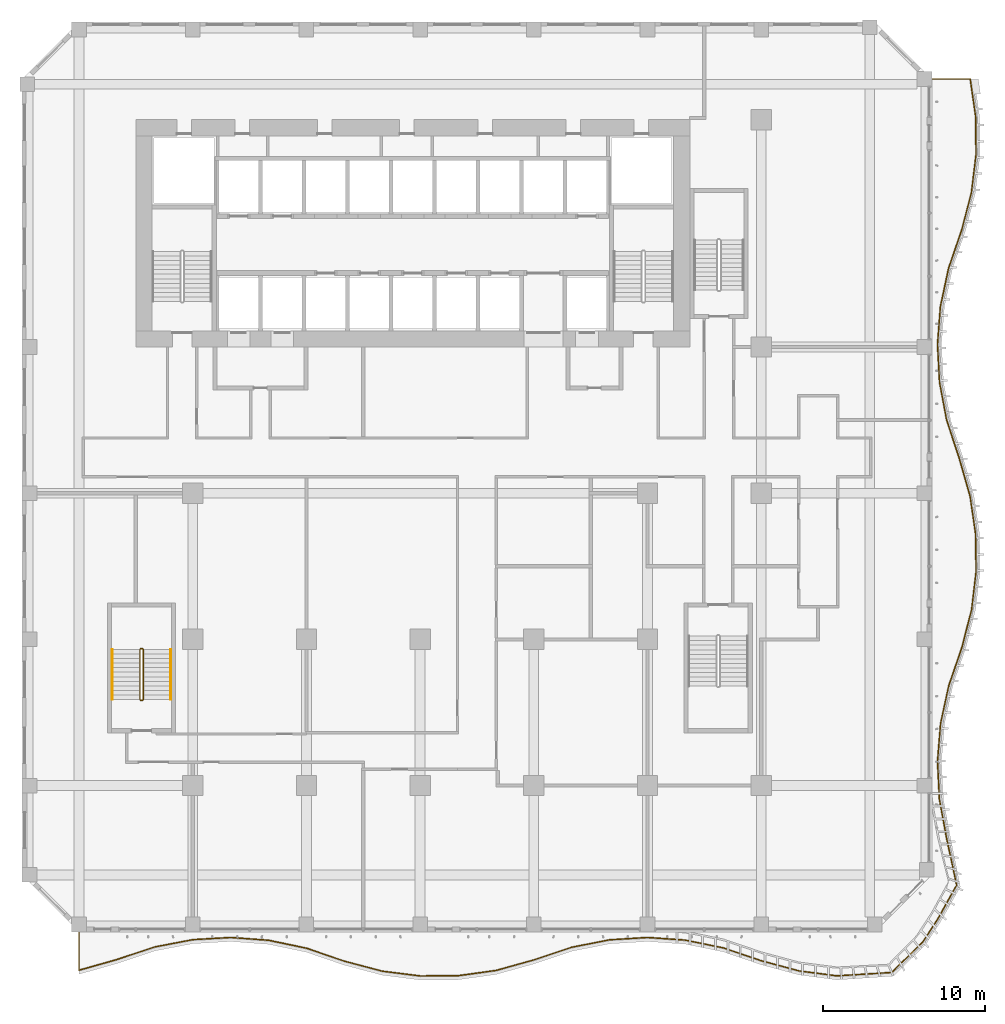
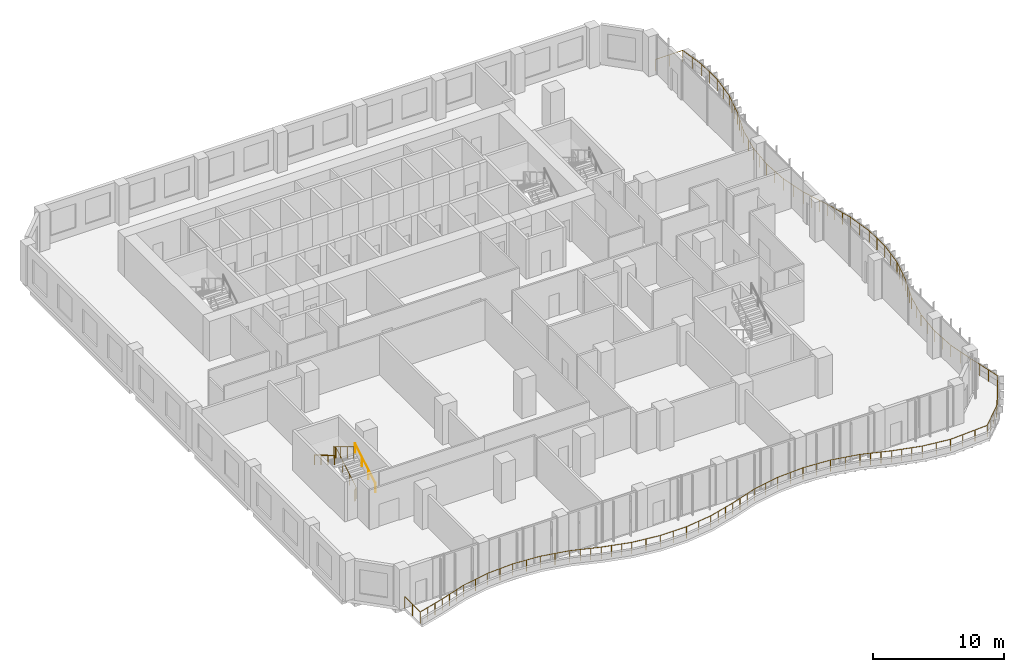
# One storey, part 21 of 28: 4 railings.
"""IFC4 building model written with IfcOpenShell, lengths in metres."""

from ifc_helpers import new_model, si_unit, direction, frame, origin, origin_2d, place, context, subcontext, project, spatial, circle, extrude, material, type_object, element, save


model = new_model("IFC4")

# Units and contexts
model_context = context("Model", 3, precision=1e-05, world=origin(), true_north=direction((0.0, 1.0)))
body_context = subcontext(model_context, "Body", "Model", "MODEL_VIEW")
ifc_project = project(units=[si_unit("LENGTHUNIT", "METRE"), si_unit("AREAUNIT", "SQUARE_METRE"), si_unit("VOLUMEUNIT", "CUBIC_METRE"), si_unit("PLANEANGLEUNIT", "RADIAN"), si_unit("MASSUNIT", "GRAM", prefix="KILO")], contexts=[model_context])

# Site, building, storey
site_placement = place(None, origin())
site = spatial("IfcSite", under=ifc_project, at=site_placement, CompositionType="ELEMENT")
building_placement = place(site_placement, origin())
building = spatial("IfcBuilding", under=site, at=building_placement, Name="Kilnfold Tower and Market Hall", CompositionType="ELEMENT")
storey_placement = place(building_placement, frame((0.0, 0.0, 87.199951171875)))
storey = spatial("IfcBuildingStorey", under=building, at=storey_placement, Name="L20", CompositionType="ELEMENT", Elevation=87.199951171875)

# Railings
ifc_material_1 = material(Name="Stainless steel 316", Category="steel")
railing_type_1 = type_object("IfcRailingType", Name="CORE STAIR GUARD 1100", PredefinedType="GUARDRAIL", material=ifc_material_1)
railing_1_placement = place(storey_placement, frame((-15.699951171875, -13.75, 0.0)))
element("IfcRailing", 1, at=railing_1_placement, inside=storey, type_object=railing_type_1, Name="L20 ST3 stair guard 1", PredefinedType="GUARDRAIL", context=body_context, shape_type="SweptSolid", body=[
    extrude(circle(Radius=0.02392578125, at=origin_2d()), frame((0.0, 0.0, 1.076171875), z_axis=(1.0, 0.0, 0.0), x_axis=(0.0, 1.0, 0.0)), (0.0, 0.0, 1.0), 0.099853515625),
    extrude(circle(Radius=0.02392578125, at=origin_2d()), frame((0.099853515625, 0.0, 1.076171875), z_axis=(0.27628659633, 0.27628659633, 0.920506074601), x_axis=(-0.707106781187, 0.707106781187, 0.0)), (0.0, 0.0, 1.0), 0.18115234375),
    extrude(circle(Radius=0.02392578125, at=origin_2d()), frame((0.14990234375, 0.050048828125, 1.24267578125), z_axis=(0.0, 0.859290745958, 0.51148745235), x_axis=(-1.0, 0.0, 0.0)), (0.0, 0.0, 1.0), 3.584228515625),
    extrude(circle(Radius=0.02392578125, at=origin_2d()), frame((0.14990234375, 3.1298828125, 3.076171875), z_axis=(-0.707106781187, 0.707106781187, 0.0), x_axis=(-0.707106781187, -0.707106781187, 0.0)), (0.0, 0.0, 1.0), 0.07080078125),
    extrude(circle(Radius=0.02392578125, at=origin_2d()), frame((0.099853515625, 3.179931640625, 3.076171875), z_axis=(-1.0, 0.0, 0.0), x_axis=(0.0, -1.0, 0.0)), (0.0, 0.0, 1.0), 0.099853515625),
    extrude(circle(Radius=0.02392578125, at=origin_2d()), frame((0.0, 3.179931640625, 3.076171875), z_axis=(-0.27628659633, -0.27628659633, 0.920506074601), x_axis=(0.707106781187, -0.707106781187, 0.0)), (0.0, 0.0, 1.0), 0.18115234375),
    extrude(circle(Radius=0.02392578125, at=origin_2d()), frame((-0.050048828125, 3.1298828125, 3.24267578125), z_axis=(0.0, -0.859290745958, 0.51148745235), x_axis=(1.0, 0.0, 0.0)), (0.0, 0.0, 1.0), 3.584228515625),
    extrude(circle(Radius=0.02099609375, at=origin_2d()), origin(), (0.0, 0.0, 1.0), 1.052001953125),
    extrude(circle(Radius=0.02099609375, at=origin_2d()), frame((0.099853515625, 0.0, 0.0)), (0.0, 0.0, 1.0), 1.052001953125),
    extrude(circle(Radius=0.02099609375, at=origin_2d()), frame((0.14990234375, 0.050048828125, 0.166748046875)), (0.0, 0.0, 1.0), 1.052001953125),
    extrude(circle(Radius=0.02099609375, at=origin_2d()), frame((0.14990234375, 1.07666015625, 0.77783203125)), (0.0, 0.0, 1.0), 1.052001953125),
    extrude(circle(Radius=0.02099609375, at=origin_2d()), frame((0.14990234375, 2.103271484375, 1.388916015625)), (0.0, 0.0, 1.0), 1.052001953125),
    extrude(circle(Radius=0.02099609375, at=origin_2d()), frame((0.14990234375, 3.1298828125, 2.0)), (0.0, 0.0, 1.0), 1.052001953125),
    extrude(circle(Radius=0.02099609375, at=origin_2d()), frame((0.099853515625, 3.179931640625, 2.0)), (0.0, 0.0, 1.0), 1.052001953125),
    extrude(circle(Radius=0.02099609375, at=origin_2d()), frame((0.0, 3.179931640625, 2.0)), (0.0, 0.0, 1.0), 1.052001953125),
    extrude(circle(Radius=0.02099609375, at=origin_2d()), frame((-0.050048828125, 3.1298828125, 2.166748046875)), (0.0, 0.0, 1.0), 1.052001953125),
    extrude(circle(Radius=0.02099609375, at=origin_2d()), frame((-0.050048828125, 2.103271484375, 2.77783203125)), (0.0, 0.0, 1.0), 1.052001953125),
    extrude(circle(Radius=0.02099609375, at=origin_2d()), frame((-0.050048828125, 1.07666015625, 3.388916015625)), (0.0, 0.0, 1.0), 1.052001953125),
    extrude(circle(Radius=0.02099609375, at=origin_2d()), frame((-0.050048828125, 0.050048828125, 4.0)), (0.0, 0.0, 1.0), 1.052001953125),
])
ifc_material_2 = material(Name="Stainless steel 316", Category="steel")
railing_type_2 = type_object("IfcRailingType", Name="CORE STAIR HANDRAIL 900", PredefinedType="HANDRAIL", material=ifc_material_2)
railing_2_placement = place(storey_placement, frame((-13.85009765625, -13.699951171875, 0.166748046875)))
element("IfcRailing", 2, at=railing_2_placement, inside=storey, type_object=railing_type_2, Name="L20 ST3 stair handrail 1", PredefinedType="HANDRAIL", context=body_context, shape_type="SweptSolid", body=[
    extrude(circle(Radius=0.02392578125, at=origin_2d()), frame((0.0, 0.0, 0.8759765625), z_axis=(0.0, 0.859290745958, 0.51148745235), x_axis=(-1.0, 0.0, 0.0)), (0.0, 0.0, 1.0), 3.584228515625),
    extrude(circle(Radius=0.02099609375, at=origin_2d()), origin(), (0.0, 0.0, 1.0), 0.851806640625),
    extrude(circle(Radius=0.02099609375, at=origin_2d()), frame((0.0, 1.026611328125, 0.611083984375)), (0.0, 0.0, 1.0), 0.851806640625),
    extrude(circle(Radius=0.02099609375, at=origin_2d()), frame((0.0, 2.05322265625, 1.22216796875)), (0.0, 0.0, 1.0), 0.851806640625),
    extrude(circle(Radius=0.02099609375, at=origin_2d()), frame((0.0, 3.079833984375, 1.833251953125)), (0.0, 0.0, 1.0), 0.851806640625),
])
railing_3_placement = place(storey_placement, frame((-17.449951171875, -10.6201171875, 2.166748046875)))
element("IfcRailing", 3, at=railing_3_placement, inside=storey, type_object=railing_type_2, Name="L20 ST3 stair handrail 2", PredefinedType="HANDRAIL", context=body_context, shape_type="SweptSolid", body=[
    extrude(circle(Radius=0.02392578125, at=origin_2d()), frame((0.0, 0.0, 0.8759765625), z_axis=(0.0, -0.859290745958, 0.51148745235), x_axis=(1.0, 0.0, 0.0)), (0.0, 0.0, 1.0), 3.584228515625),
    extrude(circle(Radius=0.02099609375, at=origin_2d()), origin(), (0.0, 0.0, 1.0), 0.851806640625),
    extrude(circle(Radius=0.02099609375, at=origin_2d()), frame((0.0, -1.026611328125, 0.611083984375)), (0.0, 0.0, 1.0), 0.851806640625),
    extrude(circle(Radius=0.02099609375, at=origin_2d()), frame((0.0, -2.05322265625, 1.22216796875)), (0.0, 0.0, 1.0), 0.851806640625),
    extrude(circle(Radius=0.02099609375, at=origin_2d()), frame((0.0, -3.079833984375, 1.833251953125)), (0.0, 0.0, 1.0), 0.851806640625),
])
ifc_material_3 = material(Name="Stainless steel and laminated glass", Category="steel")
railing_type_3 = type_object("IfcRailingType", Name="GUARD 1100", PredefinedType="GUARDRAIL", material=ifc_material_3)
railing_4_placement = place(storey_placement, frame((-19.5, -28.0, 0.0)))
element("IfcRailing", 4, at=railing_4_placement, inside=storey, type_object=railing_type_3, Name="Guard balcony L20", PredefinedType="GUARDRAIL", context=body_context, shape_type="SweptSolid", body=[
    extrude(circle(Radius=0.02490234375, at=origin_2d()), frame((0.0, 0.0, 1.0751953125), z_axis=(0.0, -1.0, 0.0), x_axis=(1.0, 0.0, 0.0)), (0.0, 0.0, 1.0), 2.3671875),
    extrude(circle(Radius=0.02490234375, at=origin_2d()), frame((0.0, -2.3671875, 1.0751953125), z_axis=(0.962306538751, 0.271967140438, 0.0), x_axis=(-0.271967140438, 0.962306538751, 0.0)), (0.0, 0.0, 1.0), 2.424560546875),
    extrude(circle(Radius=0.02490234375, at=origin_2d()), frame((2.333251953125, -1.707763671875, 1.0751953125), z_axis=(0.94906984056, 0.315065767325, 0.0), x_axis=(-0.315065767325, 0.94906984056, 0.0)), (0.0, 0.0, 1.0), 2.458740234375),
    extrude(circle(Radius=0.02490234375, at=origin_2d()), frame((4.666748046875, -0.93310546875, 1.0751953125), z_axis=(0.982061375955, 0.18856153865, 0.0), x_axis=(-0.18856153865, 0.982061375955, 0.0)), (0.0, 0.0, 1.0), 2.3759765625),
    extrude(circle(Radius=0.02490234375, at=origin_2d()), frame((7.0, -0.485107421875, 1.0751953125), z_axis=(0.99834213569, 0.057558492913, 0.0), x_axis=(-0.057558492913, 0.99834213569, 0.0)), (0.0, 0.0, 1.0), 2.337158203125),
    extrude(circle(Radius=0.02490234375, at=origin_2d()), frame((9.333251953125, -0.3505859375, 1.0751953125), z_axis=(0.997298415434, -0.073456589712, 0.0), x_axis=(0.073456589712, 0.997298415434, 0.0)), (0.0, 0.0, 1.0), 2.33984375),
    extrude(circle(Radius=0.02490234375, at=origin_2d()), frame((11.666748046875, -0.5224609375, 1.0751953125), z_axis=(0.978878895957, -0.204440962261, 0.0), x_axis=(0.204440962261, 0.978878895957, 0.0)), (0.0, 0.0, 1.0), 2.383544921875),
    extrude(circle(Radius=0.02490234375, at=origin_2d()), frame((14.0, -1.009765625, 1.0751953125), z_axis=(0.946391210256, -0.323022719248, 0.0), x_axis=(0.323022719248, 0.946391210256, 0.0)), (0.0, 0.0, 1.0), 2.46533203125),
    extrude(circle(Radius=0.02490234375, at=origin_2d()), frame((16.333251953125, -1.80615234375, 1.0751953125), z_axis=(0.966656645612, -0.25607602288, 0.0), x_axis=(0.25607602288, 0.966656645612, 0.0)), (0.0, 0.0, 1.0), 2.4140625),
    extrude(circle(Radius=0.02490234375, at=origin_2d()), frame((18.666748046875, -2.42431640625, 1.0751953125), z_axis=(0.992144748276, -0.125095157651, 0.0), x_axis=(0.125095157651, 0.992144748276, 0.0)), (0.0, 0.0, 1.0), 2.351806640625),
    extrude(circle(Radius=0.02490234375, at=origin_2d()), frame((21.0, -2.718505859375, 1.0751953125), z_axis=(0.999982214546, 0.005964108635, 0.0), x_axis=(-0.005964108635, 0.999982214546, 0.0)), (0.0, 0.0, 1.0), 2.333251953125),
    extrude(circle(Radius=0.02490234375, at=origin_2d()), frame((23.333251953125, -2.70458984375, 1.0751953125), z_axis=(0.990583845196, 0.136907434558, 0.0), x_axis=(-0.136907434558, 0.990583845196, 0.0)), (0.0, 0.0, 1.0), 2.355712890625),
    extrude(circle(Radius=0.02490234375, at=origin_2d()), frame((25.666748046875, -2.382080078125, 1.0751953125), z_axis=(0.963406621709, 0.268044177789, 0.0), x_axis=(-0.268044177789, 0.963406621709, 0.0)), (0.0, 0.0, 1.0), 2.421875),
    extrude(circle(Radius=0.02490234375, at=origin_2d()), frame((28.0, -1.73291015625, 1.0751953125), z_axis=(0.948285654044, 0.317418207313, 0.0), x_axis=(-0.317418207313, 0.948285654044, 0.0)), (0.0, 0.0, 1.0), 2.46044921875),
    extrude(circle(Radius=0.02490234375, at=origin_2d()), frame((30.333251953125, -0.951904296875, 1.0751953125), z_axis=(0.981277242242, 0.192600555184, 0.0), x_axis=(-0.192600555184, 0.981277242242, 0.0)), (0.0, 0.0, 1.0), 2.3779296875),
    extrude(circle(Radius=0.02490234375, at=origin_2d()), frame((32.666748046875, -0.493896484375, 1.0751953125), z_axis=(0.998106251115, 0.06151350653, 0.0), x_axis=(-0.06151350653, 0.998106251115, 0.0)), (0.0, 0.0, 1.0), 2.337646484375),
    extrude(circle(Radius=0.02490234375, at=origin_2d()), frame((35.0, -0.35009765625, 1.0751953125), z_axis=(0.997580659458, -0.069518543392, 0.0), x_axis=(0.069518543392, 0.997580659458, 0.0)), (0.0, 0.0, 1.0), 2.3388671875),
    extrude(circle(Radius=0.02490234375, at=origin_2d()), frame((37.333251953125, -0.5126953125, 1.0751953125), z_axis=(0.979715847017, -0.200391764063, 0.0), x_axis=(0.200391764063, 0.979715847017, 0.0)), (0.0, 0.0, 1.0), 2.3818359375),
    extrude(circle(Radius=0.02490234375, at=origin_2d()), frame((39.666748046875, -0.989990234375, 1.0751953125), z_axis=(0.94693508606, -0.321424863365, 0.0), x_axis=(0.321424863365, 0.94693508606, 0.0)), (0.0, 0.0, 1.0), 2.464111328125),
    extrude(circle(Radius=0.02490234375, at=origin_2d()), frame((42.0, -1.781982421875, 1.0751953125), z_axis=(0.965591366517, -0.260064055395, 0.0), x_axis=(0.260064055395, 0.965591366517, 0.0)), (0.0, 0.0, 1.0), 2.41650390625),
    extrude(circle(Radius=0.02490234375, at=origin_2d()), frame((44.333251953125, -2.410400390625, 1.0751953125), z_axis=(0.991636241788, -0.129064185476, 0.0), x_axis=(0.129064185476, 0.991636241788, 0.0)), (0.0, 0.0, 1.0), 2.353271484375),
    extrude(circle(Radius=0.02490234375, at=origin_2d()), frame((46.666748046875, -2.714111328125, 1.0751953125), z_axis=(0.998046947864, 0.062468310849, 0.0), x_axis=(-0.062468310849, 0.998046947864, 0.0)), (0.0, 0.0, 1.0), 3.376708984375),
    extrude(circle(Radius=0.02490234375, at=origin_2d()), frame((50.036865234375, -2.503173828125, 1.0751953125), z_axis=(0.711725581763, 0.702457611721, 0.0), x_axis=(-0.702457611721, 0.711725581763, 0.0)), (0.0, 0.0, 1.0), 2.68701171875),
    extrude(circle(Radius=0.02490234375, at=origin_2d()), frame((51.94921875, -0.61572265625, 1.0751953125), z_axis=(0.546015999668, 0.837774747833, 0.0), x_axis=(-0.837774747833, 0.546015999668, 0.0)), (0.0, 0.0, 1.0), 1.68603515625),
    extrude(circle(Radius=0.02490234375, at=origin_2d()), frame((52.869873046875, 0.796875, 1.0751953125), z_axis=(0.489186066845, 0.872179449428, 0.0), x_axis=(-0.872179449428, 0.489186066845, 0.0)), (0.0, 0.0, 1.0), 2.37255859375),
    extrude(circle(Radius=0.02490234375, at=origin_2d()), frame((54.030517578125, 2.8662109375, 1.0751953125), z_axis=(-0.208897070291, 0.977937632993, 0.0), x_axis=(-0.977937632993, -0.208897070291, 0.0)), (0.0, 0.0, 1.0), 3.033935546875),
    extrude(circle(Radius=0.02490234375, at=origin_2d()), frame((53.396728515625, 5.833251953125, 1.0751953125), z_axis=(-0.180596668273, 0.983557239518, 0.0), x_axis=(-0.983557239518, -0.180596668273, 0.0)), (0.0, 0.0, 1.0), 2.37255859375),
    extrude(circle(Radius=0.02490234375, at=origin_2d()), frame((52.96826171875, 8.166748046875, 1.0751953125), z_axis=(-0.049640514399, 0.998767149705, 0.0), x_axis=(-0.998767149705, -0.049640514399, 0.0)), (0.0, 0.0, 1.0), 2.336181640625),
    extrude(circle(Radius=0.02490234375, at=origin_2d()), frame((52.852294921875, 10.5, 1.0751953125), z_axis=(0.081345095449, 0.996685996413, 0.0), x_axis=(-0.996685996413, 0.081345095449, 0.0)), (0.0, 0.0, 1.0), 2.341064453125),
    extrude(circle(Radius=0.02490234375, at=origin_2d()), frame((53.042724609375, 12.833251953125, 1.0751953125), z_axis=(0.212348997132, 0.977193892437, 0.0), x_axis=(-0.977193892437, 0.212348997132, 0.0)), (0.0, 0.0, 1.0), 2.387939453125),
    extrude(circle(Radius=0.02490234375, at=origin_2d()), frame((53.5498046875, 15.166748046875, 1.0751953125), z_axis=(0.325679680723, 0.945480166669, 0.0), x_axis=(-0.945480166669, 0.325679680723, 0.0)), (0.0, 0.0, 1.0), 2.4677734375),
    extrude(circle(Radius=0.02490234375, at=origin_2d()), frame((54.353515625, 17.5, 1.0751953125), z_axis=(0.248136348904, 0.968725117024, 0.0), x_axis=(-0.968725117024, 0.248136348904, 0.0)), (0.0, 0.0, 1.0), 2.40869140625),
    extrude(circle(Radius=0.02490234375, at=origin_2d()), frame((54.951171875, 19.833251953125, 1.0751953125), z_axis=(0.117100473128, 0.993120072898, 0.0), x_axis=(-0.993120072898, 0.117100473128, 0.0)), (0.0, 0.0, 1.0), 2.349609375),
    extrude(circle(Radius=0.02490234375, at=origin_2d()), frame((55.226318359375, 22.166748046875, 1.0751953125), z_axis=(-0.013915153592, 0.999903179563, 0.0), x_axis=(-0.999903179563, -0.013915153592, 0.0)), (0.0, 0.0, 1.0), 2.33349609375),
    extrude(circle(Radius=0.02490234375, at=origin_2d()), frame((55.19384765625, 24.5, 1.0751953125), z_axis=(-0.144841207811, 0.989454912828, 0.0), x_axis=(-0.989454912828, -0.144841207811, 0.0)), (0.0, 0.0, 1.0), 2.358154296875),
    extrude(circle(Radius=0.02490234375, at=origin_2d()), frame((54.852294921875, 26.833251953125, 1.0751953125), z_axis=(-0.27594283235, 0.961174049418, 0.0), x_axis=(-0.961174049418, -0.27594283235, 0.0)), (0.0, 0.0, 1.0), 2.427734375),
    extrude(circle(Radius=0.02490234375, at=origin_2d()), frame((54.182373046875, 29.166748046875, 1.0751953125), z_axis=(-0.312498011214, 0.949918413858, 0.0), x_axis=(-0.949918413858, -0.312498011214, 0.0)), (0.0, 0.0, 1.0), 2.456298828125),
    extrude(circle(Radius=0.02490234375, at=origin_2d()), frame((53.414794921875, 31.5, 1.0751953125), z_axis=(-0.184592769099, 0.982815094306, 0.0), x_axis=(-0.982815094306, -0.184592769099, 0.0)), (0.0, 0.0, 1.0), 2.3740234375),
    extrude(circle(Radius=0.02490234375, at=origin_2d()), frame((52.9765625, 33.833251953125, 1.0751953125), z_axis=(-0.053595175618, 0.998562745725, 0.0), x_axis=(-0.998562745725, -0.053595175618, 0.0)), (0.0, 0.0, 1.0), 2.3369140625),
    extrude(circle(Radius=0.02490234375, at=origin_2d()), frame((52.851318359375, 36.166748046875, 1.0751953125), z_axis=(0.077406478613, 0.996999617386, 0.0), x_axis=(-0.996999617386, 0.077406478613, 0.0)), (0.0, 0.0, 1.0), 2.34033203125),
    extrude(circle(Radius=0.02490234375, at=origin_2d()), frame((53.032470703125, 38.5, 1.0751953125), z_axis=(0.20845967069, 0.978030963567, 0.0), x_axis=(-0.978030963567, 0.20845967069, 0.0)), (0.0, 0.0, 1.0), 2.3857421875),
    extrude(circle(Radius=0.02490234375, at=origin_2d()), frame((53.52978515625, 40.833251953125, 1.0751953125), z_axis=(0.324410348891, 0.945916447437, 0.0), x_axis=(-0.945916447437, 0.324410348891, 0.0)), (0.0, 0.0, 1.0), 2.466796875),
    extrude(circle(Radius=0.02490234375, at=origin_2d()), frame((54.330078125, 43.166748046875, 1.0751953125), z_axis=(0.25212510937, 0.967694646686, 0.0), x_axis=(-0.967694646686, 0.25212510937, 0.0)), (0.0, 0.0, 1.0), 2.4111328125),
    extrude(circle(Radius=0.02490234375, at=origin_2d()), frame((54.93798828125, 45.5, 1.0751953125), z_axis=(0.121004451058, 0.9926519646, 0.0), x_axis=(-0.9926519646, 0.121004451058, 0.0)), (0.0, 0.0, 1.0), 2.3505859375),
    extrude(circle(Radius=0.02490234375, at=origin_2d()), frame((55.222412109375, 47.833251953125, 1.0751953125), z_axis=(-0.009834217873, 0.99995164291, 0.0), x_axis=(-0.99995164291, -0.009834217873, 0.0)), (0.0, 0.0, 1.0), 2.33349609375),
    extrude(circle(Radius=0.02490234375, at=origin_2d()), frame((55.199462890625, 50.166748046875, 1.0751953125), z_axis=(-0.140986263734, 0.990011552174, 0.0), x_axis=(-0.990011552174, -0.140986263734, 0.0)), (0.0, 0.0, 1.0), 2.356689453125),
    extrude(circle(Radius=0.02490234375, at=origin_2d()), frame((54.8671875, 52.5, 1.0751953125), z_axis=(-1.0, 0.0, 0.0), x_axis=(0.0, -1.0, 0.0)), (0.0, 0.0, 1.0), 2.3671875),
    extrude(circle(Radius=0.02490234375, at=origin_2d()), origin(), (0.0, 0.0, 1.0), 1.050048828125),
    extrude(circle(Radius=0.02490234375, at=origin_2d()), frame((0.0, -1.18359375, 0.0)), (0.0, 0.0, 1.0), 1.050048828125),
    extrude(circle(Radius=0.02490234375, at=origin_2d()), frame((0.0, -2.3671875, 0.0)), (0.0, 0.0, 1.0), 1.050048828125),
    extrude(circle(Radius=0.02490234375, at=origin_2d()), frame((0.77783203125, -2.1474609375, 0.0)), (0.0, 0.0, 1.0), 1.050048828125),
    extrude(circle(Radius=0.02490234375, at=origin_2d()), frame((1.555419921875, -1.927490234375, 0.0)), (0.0, 0.0, 1.0), 1.050048828125),
    extrude(circle(Radius=0.02490234375, at=origin_2d()), frame((2.333251953125, -1.707763671875, 0.0)), (0.0, 0.0, 1.0), 1.050048828125),
    extrude(circle(Radius=0.02490234375, at=origin_2d()), frame((3.111083984375, -1.449462890625, 0.0)), (0.0, 0.0, 1.0), 1.050048828125),
    extrude(circle(Radius=0.02490234375, at=origin_2d()), frame((3.888916015625, -1.19140625, 0.0)), (0.0, 0.0, 1.0), 1.050048828125),
    extrude(circle(Radius=0.02490234375, at=origin_2d()), frame((4.666748046875, -0.93310546875, 0.0)), (0.0, 0.0, 1.0), 1.050048828125),
    extrude(circle(Radius=0.02490234375, at=origin_2d()), frame((5.83349609375, -0.708984375, 0.0)), (0.0, 0.0, 1.0), 1.050048828125),
    extrude(circle(Radius=0.02490234375, at=origin_2d()), frame((7.0, -0.485107421875, 0.0)), (0.0, 0.0, 1.0), 1.050048828125),
    extrude(circle(Radius=0.02490234375, at=origin_2d()), frame((8.16650390625, -0.41796875, 0.0)), (0.0, 0.0, 1.0), 1.050048828125),
    extrude(circle(Radius=0.02490234375, at=origin_2d()), frame((9.333251953125, -0.3505859375, 0.0)), (0.0, 0.0, 1.0), 1.050048828125),
    extrude(circle(Radius=0.02490234375, at=origin_2d()), frame((10.5, -0.4365234375, 0.0)), (0.0, 0.0, 1.0), 1.050048828125),
    extrude(circle(Radius=0.02490234375, at=origin_2d()), frame((11.666748046875, -0.5224609375, 0.0)), (0.0, 0.0, 1.0), 1.050048828125),
    extrude(circle(Radius=0.02490234375, at=origin_2d()), frame((12.83349609375, -0.76611328125, 0.0)), (0.0, 0.0, 1.0), 1.050048828125),
    extrude(circle(Radius=0.02490234375, at=origin_2d()), frame((14.0, -1.009765625, 0.0)), (0.0, 0.0, 1.0), 1.050048828125),
    extrude(circle(Radius=0.02490234375, at=origin_2d()), frame((14.77783203125, -1.275146484375, 0.0)), (0.0, 0.0, 1.0), 1.050048828125),
    extrude(circle(Radius=0.02490234375, at=origin_2d()), frame((15.555419921875, -1.540771484375, 0.0)), (0.0, 0.0, 1.0), 1.050048828125),
    extrude(circle(Radius=0.02490234375, at=origin_2d()), frame((16.333251953125, -1.80615234375, 0.0)), (0.0, 0.0, 1.0), 1.050048828125),
    extrude(circle(Radius=0.02490234375, at=origin_2d()), frame((17.111083984375, -2.01220703125, 0.0)), (0.0, 0.0, 1.0), 1.050048828125),
    extrude(circle(Radius=0.02490234375, at=origin_2d()), frame((17.888916015625, -2.21826171875, 0.0)), (0.0, 0.0, 1.0), 1.050048828125),
    extrude(circle(Radius=0.02490234375, at=origin_2d()), frame((18.666748046875, -2.42431640625, 0.0)), (0.0, 0.0, 1.0), 1.050048828125),
    extrude(circle(Radius=0.02490234375, at=origin_2d()), frame((19.83349609375, -2.5712890625, 0.0)), (0.0, 0.0, 1.0), 1.050048828125),
    extrude(circle(Radius=0.02490234375, at=origin_2d()), frame((21.0, -2.718505859375, 0.0)), (0.0, 0.0, 1.0), 1.050048828125),
    extrude(circle(Radius=0.02490234375, at=origin_2d()), frame((22.16650390625, -2.71142578125, 0.0)), (0.0, 0.0, 1.0), 1.050048828125),
    extrude(circle(Radius=0.02490234375, at=origin_2d()), frame((23.333251953125, -2.70458984375, 0.0)), (0.0, 0.0, 1.0), 1.050048828125),
    extrude(circle(Radius=0.02490234375, at=origin_2d()), frame((24.5, -2.54345703125, 0.0)), (0.0, 0.0, 1.0), 1.050048828125),
    extrude(circle(Radius=0.02490234375, at=origin_2d()), frame((25.666748046875, -2.382080078125, 0.0)), (0.0, 0.0, 1.0), 1.050048828125),
    extrude(circle(Radius=0.02490234375, at=origin_2d()), frame((26.444580078125, -2.165771484375, 0.0)), (0.0, 0.0, 1.0), 1.050048828125),
    extrude(circle(Radius=0.02490234375, at=origin_2d()), frame((27.22216796875, -1.94921875, 0.0)), (0.0, 0.0, 1.0), 1.050048828125),
    extrude(circle(Radius=0.02490234375, at=origin_2d()), frame((28.0, -1.73291015625, 0.0)), (0.0, 0.0, 1.0), 1.050048828125),
    extrude(circle(Radius=0.02490234375, at=origin_2d()), frame((28.77783203125, -1.47265625, 0.0)), (0.0, 0.0, 1.0), 1.050048828125),
    extrude(circle(Radius=0.02490234375, at=origin_2d()), frame((29.555419921875, -1.212158203125, 0.0)), (0.0, 0.0, 1.0), 1.050048828125),
    extrude(circle(Radius=0.02490234375, at=origin_2d()), frame((30.333251953125, -0.951904296875, 0.0)), (0.0, 0.0, 1.0), 1.050048828125),
    extrude(circle(Radius=0.02490234375, at=origin_2d()), frame((31.5, -0.722900390625, 0.0)), (0.0, 0.0, 1.0), 1.050048828125),
    extrude(circle(Radius=0.02490234375, at=origin_2d()), frame((32.666748046875, -0.493896484375, 0.0)), (0.0, 0.0, 1.0), 1.050048828125),
    extrude(circle(Radius=0.02490234375, at=origin_2d()), frame((33.83349609375, -0.421875, 0.0)), (0.0, 0.0, 1.0), 1.050048828125),
    extrude(circle(Radius=0.02490234375, at=origin_2d()), frame((35.0, -0.35009765625, 0.0)), (0.0, 0.0, 1.0), 1.050048828125),
    extrude(circle(Radius=0.02490234375, at=origin_2d()), frame((36.16650390625, -0.431396484375, 0.0)), (0.0, 0.0, 1.0), 1.050048828125),
    extrude(circle(Radius=0.02490234375, at=origin_2d()), frame((37.333251953125, -0.5126953125, 0.0)), (0.0, 0.0, 1.0), 1.050048828125),
    extrude(circle(Radius=0.02490234375, at=origin_2d()), frame((38.5, -0.75146484375, 0.0)), (0.0, 0.0, 1.0), 1.050048828125),
    extrude(circle(Radius=0.02490234375, at=origin_2d()), frame((39.666748046875, -0.989990234375, 0.0)), (0.0, 0.0, 1.0), 1.050048828125),
    extrude(circle(Radius=0.02490234375, at=origin_2d()), frame((40.444580078125, -1.25390625, 0.0)), (0.0, 0.0, 1.0), 1.050048828125),
    extrude(circle(Radius=0.02490234375, at=origin_2d()), frame((41.22216796875, -1.51806640625, 0.0)), (0.0, 0.0, 1.0), 1.050048828125),
    extrude(circle(Radius=0.02490234375, at=origin_2d()), frame((42.0, -1.781982421875, 0.0)), (0.0, 0.0, 1.0), 1.050048828125),
    extrude(circle(Radius=0.02490234375, at=origin_2d()), frame((42.77783203125, -1.991455078125, 0.0)), (0.0, 0.0, 1.0), 1.050048828125),
    extrude(circle(Radius=0.02490234375, at=origin_2d()), frame((43.555419921875, -2.200927734375, 0.0)), (0.0, 0.0, 1.0), 1.050048828125),
    extrude(circle(Radius=0.02490234375, at=origin_2d()), frame((44.333251953125, -2.410400390625, 0.0)), (0.0, 0.0, 1.0), 1.050048828125),
    extrude(circle(Radius=0.02490234375, at=origin_2d()), frame((45.5, -2.562255859375, 0.0)), (0.0, 0.0, 1.0), 1.050048828125),
    extrude(circle(Radius=0.02490234375, at=origin_2d()), frame((46.666748046875, -2.714111328125, 0.0)), (0.0, 0.0, 1.0), 1.050048828125),
    extrude(circle(Radius=0.02490234375, at=origin_2d()), frame((47.7900390625, -2.643798828125, 0.0)), (0.0, 0.0, 1.0), 1.050048828125),
    extrude(circle(Radius=0.02490234375, at=origin_2d()), frame((48.91357421875, -2.573486328125, 0.0)), (0.0, 0.0, 1.0), 1.050048828125),
    extrude(circle(Radius=0.02490234375, at=origin_2d()), frame((50.036865234375, -2.503173828125, 0.0)), (0.0, 0.0, 1.0), 1.050048828125),
    extrude(circle(Radius=0.02490234375, at=origin_2d()), frame((50.67431640625, -1.8740234375, 0.0)), (0.0, 0.0, 1.0), 1.050048828125),
    extrude(circle(Radius=0.02490234375, at=origin_2d()), frame((51.311767578125, -1.244873046875, 0.0)), (0.0, 0.0, 1.0), 1.050048828125),
    extrude(circle(Radius=0.02490234375, at=origin_2d()), frame((51.94921875, -0.61572265625, 0.0)), (0.0, 0.0, 1.0), 1.050048828125),
    extrude(circle(Radius=0.02490234375, at=origin_2d()), frame((52.40966796875, 0.090576171875, 0.0)), (0.0, 0.0, 1.0), 1.050048828125),
    extrude(circle(Radius=0.02490234375, at=origin_2d()), frame((52.869873046875, 0.796875, 0.0)), (0.0, 0.0, 1.0), 1.050048828125),
    extrude(circle(Radius=0.02490234375, at=origin_2d()), frame((53.4501953125, 1.83154296875, 0.0)), (0.0, 0.0, 1.0), 1.050048828125),
    extrude(circle(Radius=0.02490234375, at=origin_2d()), frame((54.030517578125, 2.8662109375, 0.0)), (0.0, 0.0, 1.0), 1.050048828125),
    extrude(circle(Radius=0.02490234375, at=origin_2d()), frame((53.8193359375, 3.855224609375, 0.0)), (0.0, 0.0, 1.0), 1.050048828125),
    extrude(circle(Radius=0.02490234375, at=origin_2d()), frame((53.60791015625, 4.84423828125, 0.0)), (0.0, 0.0, 1.0), 1.050048828125),
    extrude(circle(Radius=0.02490234375, at=origin_2d()), frame((53.396728515625, 5.833251953125, 0.0)), (0.0, 0.0, 1.0), 1.050048828125),
    extrude(circle(Radius=0.02490234375, at=origin_2d()), frame((53.1826171875, 7.0, 0.0)), (0.0, 0.0, 1.0), 1.050048828125),
    extrude(circle(Radius=0.02490234375, at=origin_2d()), frame((52.96826171875, 8.166748046875, 0.0)), (0.0, 0.0, 1.0), 1.050048828125),
    extrude(circle(Radius=0.02490234375, at=origin_2d()), frame((52.91015625, 9.33349609375, 0.0)), (0.0, 0.0, 1.0), 1.050048828125),
    extrude(circle(Radius=0.02490234375, at=origin_2d()), frame((52.852294921875, 10.5, 0.0)), (0.0, 0.0, 1.0), 1.050048828125),
    extrude(circle(Radius=0.02490234375, at=origin_2d()), frame((52.947509765625, 11.66650390625, 0.0)), (0.0, 0.0, 1.0), 1.050048828125),
    extrude(circle(Radius=0.02490234375, at=origin_2d()), frame((53.042724609375, 12.833251953125, 0.0)), (0.0, 0.0, 1.0), 1.050048828125),
    extrude(circle(Radius=0.02490234375, at=origin_2d()), frame((53.29638671875, 14.0, 0.0)), (0.0, 0.0, 1.0), 1.050048828125),
    extrude(circle(Radius=0.02490234375, at=origin_2d()), frame((53.5498046875, 15.166748046875, 0.0)), (0.0, 0.0, 1.0), 1.050048828125),
    extrude(circle(Radius=0.02490234375, at=origin_2d()), frame((53.817626953125, 15.944580078125, 0.0)), (0.0, 0.0, 1.0), 1.050048828125),
    extrude(circle(Radius=0.02490234375, at=origin_2d()), frame((54.085693359375, 16.72216796875, 0.0)), (0.0, 0.0, 1.0), 1.050048828125),
    extrude(circle(Radius=0.02490234375, at=origin_2d()), frame((54.353515625, 17.5, 0.0)), (0.0, 0.0, 1.0), 1.050048828125),
    extrude(circle(Radius=0.02490234375, at=origin_2d()), frame((54.552734375, 18.27783203125, 0.0)), (0.0, 0.0, 1.0), 1.050048828125),
    extrude(circle(Radius=0.02490234375, at=origin_2d()), frame((54.751953125, 19.055419921875, 0.0)), (0.0, 0.0, 1.0), 1.050048828125),
    extrude(circle(Radius=0.02490234375, at=origin_2d()), frame((54.951171875, 19.833251953125, 0.0)), (0.0, 0.0, 1.0), 1.050048828125),
    extrude(circle(Radius=0.02490234375, at=origin_2d()), frame((55.0888671875, 21.0, 0.0)), (0.0, 0.0, 1.0), 1.050048828125),
    extrude(circle(Radius=0.02490234375, at=origin_2d()), frame((55.226318359375, 22.166748046875, 0.0)), (0.0, 0.0, 1.0), 1.050048828125),
    extrude(circle(Radius=0.02490234375, at=origin_2d()), frame((55.2099609375, 23.33349609375, 0.0)), (0.0, 0.0, 1.0), 1.050048828125),
    extrude(circle(Radius=0.02490234375, at=origin_2d()), frame((55.19384765625, 24.5, 0.0)), (0.0, 0.0, 1.0), 1.050048828125),
    extrude(circle(Radius=0.02490234375, at=origin_2d()), frame((55.02294921875, 25.66650390625, 0.0)), (0.0, 0.0, 1.0), 1.050048828125),
    extrude(circle(Radius=0.02490234375, at=origin_2d()), frame((54.852294921875, 26.833251953125, 0.0)), (0.0, 0.0, 1.0), 1.050048828125),
    extrude(circle(Radius=0.02490234375, at=origin_2d()), frame((54.62890625, 27.611083984375, 0.0)), (0.0, 0.0, 1.0), 1.050048828125),
    extrude(circle(Radius=0.02490234375, at=origin_2d()), frame((54.40576171875, 28.388916015625, 0.0)), (0.0, 0.0, 1.0), 1.050048828125),
    extrude(circle(Radius=0.02490234375, at=origin_2d()), frame((54.182373046875, 29.166748046875, 0.0)), (0.0, 0.0, 1.0), 1.050048828125),
    extrude(circle(Radius=0.02490234375, at=origin_2d()), frame((53.926513671875, 29.944580078125, 0.0)), (0.0, 0.0, 1.0), 1.050048828125),
    extrude(circle(Radius=0.02490234375, at=origin_2d()), frame((53.670654296875, 30.72216796875, 0.0)), (0.0, 0.0, 1.0), 1.050048828125),
    extrude(circle(Radius=0.02490234375, at=origin_2d()), frame((53.414794921875, 31.5, 0.0)), (0.0, 0.0, 1.0), 1.050048828125),
    extrude(circle(Radius=0.02490234375, at=origin_2d()), frame((53.19580078125, 32.66650390625, 0.0)), (0.0, 0.0, 1.0), 1.050048828125),
    extrude(circle(Radius=0.02490234375, at=origin_2d()), frame((52.9765625, 33.833251953125, 0.0)), (0.0, 0.0, 1.0), 1.050048828125),
    extrude(circle(Radius=0.02490234375, at=origin_2d()), frame((52.9140625, 35.0, 0.0)), (0.0, 0.0, 1.0), 1.050048828125),
    extrude(circle(Radius=0.02490234375, at=origin_2d()), frame((52.851318359375, 36.166748046875, 0.0)), (0.0, 0.0, 1.0), 1.050048828125),
    extrude(circle(Radius=0.02490234375, at=origin_2d()), frame((52.94189453125, 37.33349609375, 0.0)), (0.0, 0.0, 1.0), 1.050048828125),
    extrude(circle(Radius=0.02490234375, at=origin_2d()), frame((53.032470703125, 38.5, 0.0)), (0.0, 0.0, 1.0), 1.050048828125),
    extrude(circle(Radius=0.02490234375, at=origin_2d()), frame((53.28125, 39.66650390625, 0.0)), (0.0, 0.0, 1.0), 1.050048828125),
    extrude(circle(Radius=0.02490234375, at=origin_2d()), frame((53.52978515625, 40.833251953125, 0.0)), (0.0, 0.0, 1.0), 1.050048828125),
    extrude(circle(Radius=0.02490234375, at=origin_2d()), frame((53.796630859375, 41.611083984375, 0.0)), (0.0, 0.0, 1.0), 1.050048828125),
    extrude(circle(Radius=0.02490234375, at=origin_2d()), frame((54.063232421875, 42.388916015625, 0.0)), (0.0, 0.0, 1.0), 1.050048828125),
    extrude(circle(Radius=0.02490234375, at=origin_2d()), frame((54.330078125, 43.166748046875, 0.0)), (0.0, 0.0, 1.0), 1.050048828125),
    extrude(circle(Radius=0.02490234375, at=origin_2d()), frame((54.53271484375, 43.944580078125, 0.0)), (0.0, 0.0, 1.0), 1.050048828125),
    extrude(circle(Radius=0.02490234375, at=origin_2d()), frame((54.7353515625, 44.72216796875, 0.0)), (0.0, 0.0, 1.0), 1.050048828125),
    extrude(circle(Radius=0.02490234375, at=origin_2d()), frame((54.93798828125, 45.5, 0.0)), (0.0, 0.0, 1.0), 1.050048828125),
    extrude(circle(Radius=0.02490234375, at=origin_2d()), frame((55.080078125, 46.66650390625, 0.0)), (0.0, 0.0, 1.0), 1.050048828125),
    extrude(circle(Radius=0.02490234375, at=origin_2d()), frame((55.222412109375, 47.833251953125, 0.0)), (0.0, 0.0, 1.0), 1.050048828125),
    extrude(circle(Radius=0.02490234375, at=origin_2d()), frame((55.2109375, 49.0, 0.0)), (0.0, 0.0, 1.0), 1.050048828125),
    extrude(circle(Radius=0.02490234375, at=origin_2d()), frame((55.199462890625, 50.166748046875, 0.0)), (0.0, 0.0, 1.0), 1.050048828125),
    extrude(circle(Radius=0.02490234375, at=origin_2d()), frame((55.033203125, 51.33349609375, 0.0)), (0.0, 0.0, 1.0), 1.050048828125),
    extrude(circle(Radius=0.02490234375, at=origin_2d()), frame((54.8671875, 52.5, 0.0)), (0.0, 0.0, 1.0), 1.050048828125),
    extrude(circle(Radius=0.02490234375, at=origin_2d()), frame((53.68359375, 52.5, 0.0)), (0.0, 0.0, 1.0), 1.050048828125),
    extrude(circle(Radius=0.02490234375, at=origin_2d()), frame((52.5, 52.5, 0.0)), (0.0, 0.0, 1.0), 1.050048828125),
])

save(model, "model.ifc")
